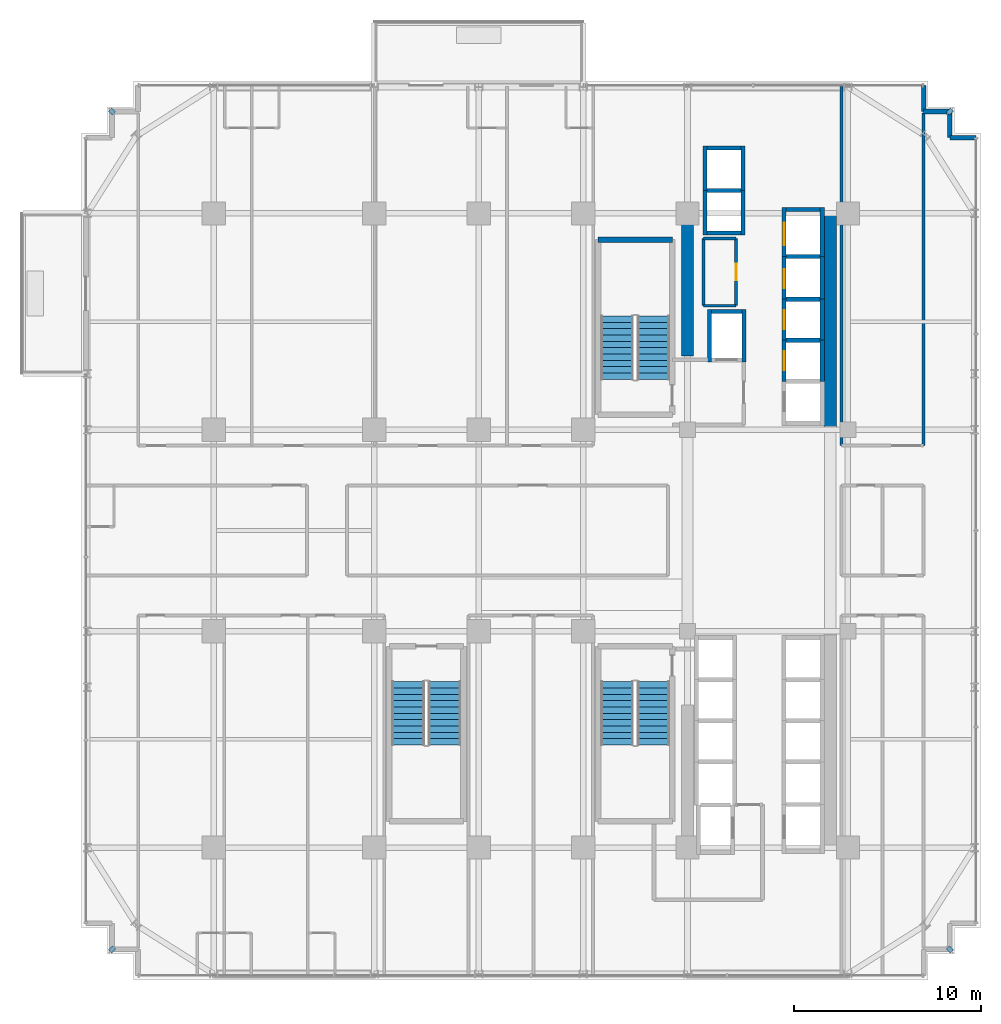
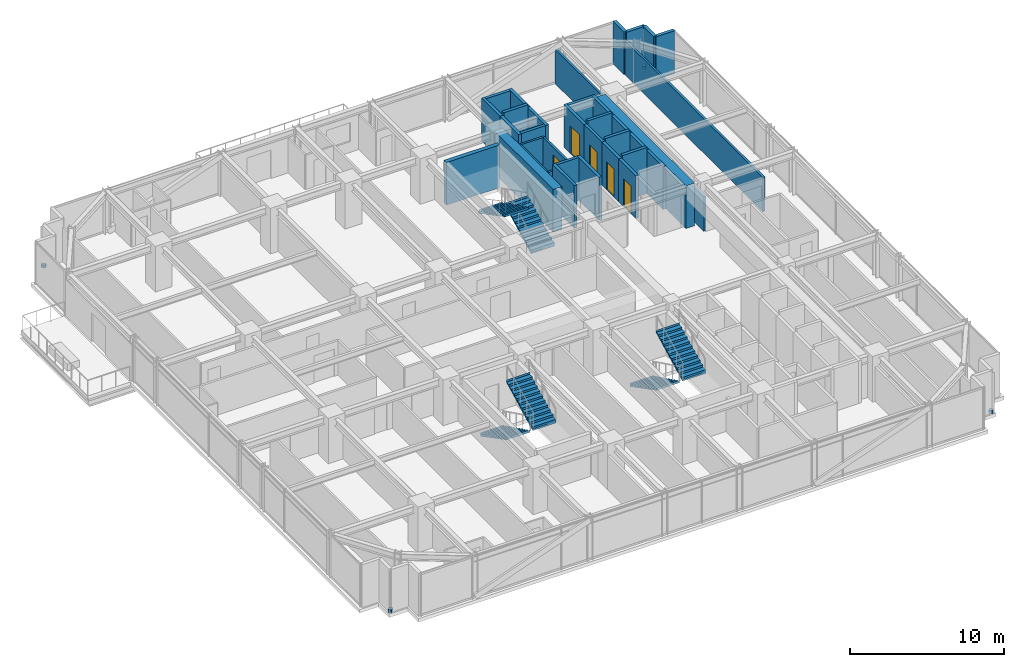
# One storey, part 35 of 39: 35 walls, 6 stair flights, 5 doors, 4 discrete accessories, 5 openings, 3 elements without a shape of their own.
"""IFC4 building model written with IfcOpenShell, lengths in metres."""

from ifc_helpers import new_model, si_unit, direction, frame, frame_2d, origin, origin_2d, place, context, subcontext, project, spatial, polyline, rectangle, outline, extrude, source, transform, mapped, material, layer, layer_set, type_object, element, fill, aggregate, save


model = new_model("IFC4")

# Units and contexts
model_context = context("Model", 3, precision=1e-05, world=origin(), true_north=direction((0.0, 1.0)))
body_context = subcontext(model_context, "Body", "Model", "MODEL_VIEW")
ifc_project = project(units=[si_unit("LENGTHUNIT", "METRE"), si_unit("AREAUNIT", "SQUARE_METRE"), si_unit("VOLUMEUNIT", "CUBIC_METRE"), si_unit("PLANEANGLEUNIT", "RADIAN"), si_unit("MASSUNIT", "GRAM", prefix="KILO")], contexts=[model_context])

# Site, building, storey
site_placement = place(None, origin())
site = spatial("IfcSite", under=ifc_project, at=site_placement, CompositionType="ELEMENT")
building_placement = place(site_placement, origin())
building = spatial("IfcBuilding", under=site, at=building_placement, Name="Nahalor Promenade Grand Hotel", CompositionType="ELEMENT")
storey_placement = place(building_placement, frame((0.0, 0.0, 135.75)))
storey = spatial("IfcBuildingStorey", under=building, at=storey_placement, Name="L34", CompositionType="ELEMENT", Elevation=135.75)

# Walls
ifc_material_1 = material(Name="Concrete B-60 (C50/60)", Category="concrete")
ifc_layer_1 = layer(ifc_material_1, 0.64990234375)
ifc_layer_set_1 = layer_set([ifc_layer_1], Name="Concrete B-60 (C50/60)")
wall_type_1 = type_object("IfcWallType", Name="Wall-CoreShear-650", PredefinedType="SHEAR", material=ifc_layer_set_1)
shared_shape_1 = source(origin(), body_context, "Body", "SweptSolid", [
    extrude(rectangle(XDim=7.64990234375, YDim=0.64990234375, at=frame_2d((3.824951171875, 0.0))), origin(), (0.0, 0.0, 1.0), 3.3798828125),
])
wall_1_placement = place(storey_placement, frame((8.39990234375, 9.35009765625, 0.0), z_axis=(0.0, 0.0, 1.0), x_axis=(0.0, 1.0, 0.0)))
element("IfcWall", 1, at=wall_1_placement, inside=storey, type_object=wall_type_1, Name="CWALL-L34-NW", PredefinedType="SHEAR", context=body_context, shape_type="MappedRepresentation", body=[
    mapped(shared_shape_1, transform((0.0, 0.0, 0.0), scale=1.0)),
])
shared_shape_2 = source(origin(), body_context, "Body", "SweptSolid", [
    extrude(rectangle(XDim=11.60009765625, YDim=0.64990234375, at=frame_2d((5.800048828125, 0.0))), origin(), (0.0, 0.0, 1.0), 3.3798828125),
])
wall_2_placement = place(storey_placement, frame((16.050048828125, 5.39990234375, 0.0), z_axis=(0.0, 0.0, 1.0), x_axis=(0.0, 1.0, 0.0)))
element("IfcWall", 2, at=wall_2_placement, inside=storey, type_object=wall_type_1, Name="CWALL-L34-NE", PredefinedType="SHEAR", context=body_context, shape_type="MappedRepresentation", body=[
    mapped(shared_shape_2, transform((0.0, 0.0, 0.0), scale=1.0)),
])
ifc_material_2 = material(Name="Concrete B-50 (C40/50)", Category="concrete")
ifc_layer_2 = layer(ifc_material_2, 0.300048828125)
ifc_layer_set_2 = layer_set([ifc_layer_2], Name="Concrete B-50 (C40/50)")
wall_type_2 = type_object("IfcWallType", Name="Wall-ShaftShear-300", PredefinedType="SHEAR", material=ifc_layer_set_2)
shared_shape_3 = source(origin(), body_context, "Body", "SweptSolid", [
    extrude(rectangle(XDim=3.97998046875, YDim=0.300048828125, at=frame_2d((1.989990234375, 0.0))), origin(), (0.0, 0.0, 1.0), 3.3798828125),
])
wall_3_placement = place(storey_placement, frame((3.610107421875, 15.590087890625, 0.0), z_axis=(0.0, 0.0, 1.0), x_axis=(1.0, 0.0, 0.0)))
element("IfcWall", 3, at=wall_3_placement, inside=storey, type_object=wall_type_2, Name="L34 Exit Stair ST1 Shaft Wall N", PredefinedType="SHEAR", context=body_context, shape_type="MappedRepresentation", body=[
    mapped(shared_shape_3, transform((0.0, 0.0, 0.0), scale=1.0)),
])
ifc_layer_3 = layer(ifc_material_2, 0.219970703125)
ifc_layer_set_3 = layer_set([ifc_layer_3], Name="Concrete B-50 (C40/50)")
wall_type_3 = type_object("IfcWallType", Name="Wall-LiftShaft-220", PredefinedType="SHEAR", material=ifc_layer_set_3)
shared_shape_4 = source(origin(), body_context, "Body", "SweptSolid", [
    extrude(rectangle(XDim=1.820068359375, YDim=0.219970703125, at=frame_2d((0.91015625, 0.0))), origin(), (0.0, 0.0, 1.0), 3.64990234375),
])
for number, where, z_axis, x_axis, name in (
    (4, (13.68994140625, 10.199951171875, 0.0), (0.0, 0.0, 1.0), (1.0, 0.0, 0.0), "L34 Lift PL2 Hoistway Wall N"),
    (5, (13.68994140625, 12.39990234375, 0.0), (0.0, 0.0, 1.0), (1.0, 0.0, 0.0), "L34 Lift PL3 Hoistway Wall N"),
    (6, (13.68994140625, 14.699951171875, 0.0), (0.0, 0.0, 1.0), (1.0, 0.0, 0.0), "L34 Lift PL4 Hoistway Wall N"),
    (7, (9.43994140625, 18.22509765625, 0.0), (0.0, 0.0, 1.0), (1.0, 0.0, 0.0), "L34 Lift OB1 Hoistway Wall N"),
):
    element("IfcWall", number, at=place(storey_placement, frame(where, z_axis=z_axis, x_axis=x_axis)), inside=storey, type_object=wall_type_3, Name=name, PredefinedType="SHEAR", context=body_context, shape_type="MappedRepresentation", body=[
        mapped(shared_shape_4, transform((0.0, 0.0, 0.0), scale=1.0)),
    ])
shared_shape_5 = source(origin(), body_context, "Body", "SweptSolid", [
    extrude(rectangle(XDim=1.820068359375, YDim=0.219970703125, at=frame_2d((0.91015625, 0.0))), origin(), (0.0, 0.0, 1.0), 3.3798828125),
])
for number, where, z_axis, x_axis, name in (
    (8, (9.43994140625, 15.949951171875, 0.0), (0.0, 0.0, 1.0), (1.0, 0.0, 0.0), "L34 Lift OB1 Hoistway Wall S"),
    (9, (9.43994140625, 20.5, 0.0), (0.0, 0.0, 1.0), (1.0, 0.0, 0.0), "L34 Lift OB2 Hoistway Wall N"),
    (10, (13.68994140625, 17.199951171875, 0.0), (0.0, 0.0, 1.0), (1.0, 0.0, 0.0), "L34 Lift SV1 Hoistway Wall N"),
):
    element("IfcWall", number, at=place(storey_placement, frame(where, z_axis=z_axis, x_axis=x_axis)), inside=storey, type_object=wall_type_3, Name=name, PredefinedType="SHEAR", context=body_context, shape_type="MappedRepresentation", body=[
        mapped(shared_shape_5, transform((0.0, 0.0, 0.0), scale=1.0)),
    ])

# Wall, opening, door
shared_shape_6 = source(origin(), body_context, "Body", "SweptSolid", [
    extrude(rectangle(XDim=2.199951171875, YDim=0.219970703125, at=frame_2d((1.10009765625, 0.0))), origin(), (0.0, 0.0, 1.0), 3.3798828125),
])
wall_4_placement = place(storey_placement, frame((13.580078125, 8.0, 0.0), z_axis=(0.0, 0.0, 1.0), x_axis=(0.0, 1.0, 0.0)))
wall_4 = element("IfcWall", 11, at=wall_4_placement, inside=storey, type_object=wall_type_3, Name="L34 Lift PL2 Hoistway Wall W", PredefinedType="SHEAR", context=body_context, shape_type="MappedRepresentation", body=[
    mapped(shared_shape_6, transform((0.0, 0.0, 0.0), scale=1.0)),
])
opening_1_placement = place(wall_4_placement, frame((0.60009765625, 0.0, 0.0)))
opening_1 = element("IfcOpeningElement", 12, at=opening_1_placement, cuts=wall_4, Name="Opening LD-01", PredefinedType="OPENING", context=body_context, shape_type="SweptSolid", body=[
    extrude(rectangle(XDim=1.0, YDim=2.199951171875, at=frame_2d((0.5, 1.10009765625))), frame((0.0, 0.119873046875, 0.0), z_axis=(0.0, -1.0, 0.0), x_axis=(1.0, 0.0, 0.0)), (0.0, 0.0, 1.0), 0.239990234375),
])
ifc_material_3 = material(Name="Steel S355JR", Category="steel")
door_type_1 = type_object("IfcDoorType", Name="Door-LiftLanding-1000", OperationType="DOUBLE_DOOR_SLIDING", PredefinedType="DOOR", material=ifc_material_3)
shared_shape_7 = source(origin(), body_context, "Body", "SweptSolid", [
    extrude(rectangle(XDim=1.0, YDim=2.199951171875, at=frame_2d((0.5, 1.10009765625))), frame((0.0, 0.02490234375, 0.0), z_axis=(0.0, -1.0, 0.0), x_axis=(1.0, 0.0, 0.0)), (0.0, 0.0, 1.0), 0.050048828125),
])
door_1_placement = place(opening_1_placement, origin())
door_1 = element("IfcDoor", 13, at=door_1_placement, inside=storey, type_object=door_type_1, Name="DR-LIFT-PL2-L34", OperationType="DOUBLE_DOOR_SLIDING", OverallHeight=2.199951171875, OverallWidth=1.0, PredefinedType="DOOR", context=body_context, shape_type="MappedRepresentation", body=[
    mapped(shared_shape_7, transform((0.0, 0.0, 0.0), scale=1.0)),
])
fill(opening_1, door_1)

# Wall
wall_5_placement = place(storey_placement, frame((15.6201171875, 8.0, 0.0), z_axis=(0.0, 0.0, 1.0), x_axis=(0.0, 1.0, 0.0)))
element("IfcWall", 14, at=wall_5_placement, inside=storey, type_object=wall_type_3, Name="L34 Lift PL2 Hoistway Wall E", PredefinedType="SHEAR", context=body_context, shape_type="MappedRepresentation", body=[
    mapped(shared_shape_6, transform((0.0, 0.0, 0.0), scale=1.0)),
])

# Wall, opening, door
wall_6_placement = place(storey_placement, frame((13.580078125, 10.199951171875, 0.0), z_axis=(0.0, 0.0, 1.0), x_axis=(0.0, 1.0, 0.0)))
wall_6 = element("IfcWall", 15, at=wall_6_placement, inside=storey, type_object=wall_type_3, Name="L34 Lift PL3 Hoistway Wall W", PredefinedType="SHEAR", context=body_context, shape_type="MappedRepresentation", body=[
    mapped(shared_shape_6, transform((0.0, 0.0, 0.0), scale=1.0)),
])
opening_2_placement = place(wall_6_placement, frame((0.60009765625, 0.0, 0.0)))
opening_2 = element("IfcOpeningElement", 16, at=opening_2_placement, cuts=wall_6, Name="Opening LD-01", PredefinedType="OPENING", context=body_context, shape_type="SweptSolid", body=[
    extrude(rectangle(XDim=1.0, YDim=2.199951171875, at=frame_2d((0.5, 1.10009765625))), frame((0.0, 0.119873046875, 0.0), z_axis=(0.0, -1.0, 0.0), x_axis=(1.0, 0.0, 0.0)), (0.0, 0.0, 1.0), 0.239990234375),
])
door_2_placement = place(opening_2_placement, origin())
door_2 = element("IfcDoor", 17, at=door_2_placement, inside=storey, type_object=door_type_1, Name="DR-LIFT-PL3-L34", OperationType="DOUBLE_DOOR_SLIDING", OverallHeight=2.199951171875, OverallWidth=1.0, PredefinedType="DOOR", context=body_context, shape_type="MappedRepresentation", body=[
    mapped(shared_shape_7, transform((0.0, 0.0, 0.0), scale=1.0)),
])
fill(opening_2, door_2)

# Wall
wall_7_placement = place(storey_placement, frame((15.6201171875, 10.199951171875, 0.0), z_axis=(0.0, 0.0, 1.0), x_axis=(0.0, 1.0, 0.0)))
element("IfcWall", 18, at=wall_7_placement, inside=storey, type_object=wall_type_3, Name="L34 Lift PL3 Hoistway Wall E", PredefinedType="SHEAR", context=body_context, shape_type="MappedRepresentation", body=[
    mapped(shared_shape_6, transform((0.0, 0.0, 0.0), scale=1.0)),
])

# Wall, opening, door
shared_shape_8 = source(origin(), body_context, "Body", "SweptSolid", [
    extrude(rectangle(XDim=2.300048828125, YDim=0.219970703125, at=frame_2d((1.14990234375, 0.0))), origin(), (0.0, 0.0, 1.0), 3.3798828125),
])
wall_8_placement = place(storey_placement, frame((13.580078125, 12.39990234375, 0.0), z_axis=(0.0, 0.0, 1.0), x_axis=(0.0, 1.0, 0.0)))
wall_8 = element("IfcWall", 19, at=wall_8_placement, inside=storey, type_object=wall_type_3, Name="L34 Lift PL4 Hoistway Wall W", PredefinedType="SHEAR", context=body_context, shape_type="MappedRepresentation", body=[
    mapped(shared_shape_8, transform((0.0, 0.0, 0.0), scale=1.0)),
])
opening_3_placement = place(wall_8_placement, frame((0.60009765625, 0.0, 0.0)))
opening_3 = element("IfcOpeningElement", 20, at=opening_3_placement, cuts=wall_8, Name="Opening LD-01", PredefinedType="OPENING", context=body_context, shape_type="SweptSolid", body=[
    extrude(rectangle(XDim=1.0, YDim=2.199951171875, at=frame_2d((0.5, 1.10009765625))), frame((0.0, 0.119873046875, 0.0), z_axis=(0.0, -1.0, 0.0), x_axis=(1.0, 0.0, 0.0)), (0.0, 0.0, 1.0), 0.239990234375),
])
door_3_placement = place(opening_3_placement, origin())
door_3 = element("IfcDoor", 21, at=door_3_placement, inside=storey, type_object=door_type_1, Name="DR-LIFT-PL4-L34", OperationType="DOUBLE_DOOR_SLIDING", OverallHeight=2.199951171875, OverallWidth=1.0, PredefinedType="DOOR", context=body_context, shape_type="MappedRepresentation", body=[
    mapped(shared_shape_7, transform((0.0, 0.0, 0.0), scale=1.0)),
])
fill(opening_3, door_3)

# Walls
wall_9_placement = place(storey_placement, frame((15.6201171875, 12.39990234375, 0.0), z_axis=(0.0, 0.0, 1.0), x_axis=(0.0, 1.0, 0.0)))
element("IfcWall", 22, at=wall_9_placement, inside=storey, type_object=wall_type_3, Name="L34 Lift PL4 Hoistway Wall E", PredefinedType="SHEAR", context=body_context, shape_type="MappedRepresentation", body=[
    mapped(shared_shape_8, transform((0.0, 0.0, 0.0), scale=1.0)),
])
shared_shape_9 = source(origin(), body_context, "Body", "SweptSolid", [
    extrude(rectangle(XDim=2.385009765625, YDim=0.219970703125, at=frame_2d((1.1923828125, 0.0))), origin(), (0.0, 0.0, 1.0), 3.3798828125),
])
for number, where, z_axis, x_axis, name in (
    (23, (9.330078125, 15.840087890625, 0.0), (0.0, 0.0, 1.0), (0.0, 1.0, 0.0), "L34 Lift OB1 Hoistway Wall W"),
    (24, (11.3701171875, 15.840087890625, 0.0), (0.0, 0.0, 1.0), (0.0, 1.0, 0.0), "L34 Lift OB1 Hoistway Wall E"),
    (25, (9.330078125, 18.22509765625, 0.0), (0.0, 0.0, 1.0), (0.0, 1.0, 0.0), "L34 Lift OB2 Hoistway Wall W"),
    (26, (11.3701171875, 18.22509765625, 0.0), (0.0, 0.0, 1.0), (0.0, 1.0, 0.0), "L34 Lift OB2 Hoistway Wall E"),
):
    element("IfcWall", number, at=place(storey_placement, frame(where, z_axis=z_axis, x_axis=x_axis)), inside=storey, type_object=wall_type_3, Name=name, PredefinedType="SHEAR", context=body_context, shape_type="MappedRepresentation", body=[
        mapped(shared_shape_9, transform((0.0, 0.0, 0.0), scale=1.0)),
    ])
shared_shape_10 = source(origin(), body_context, "Body", "SweptSolid", [
    extrude(rectangle(XDim=2.820068359375, YDim=0.219970703125, at=frame_2d((1.41015625, 0.0))), origin(), (0.0, 0.0, 1.0), 3.3798828125),
])
for number, where, z_axis, x_axis, name in (
    (27, (9.580078125, 9.0400390625, 0.0), (0.0, 0.0, 1.0), (0.0, 1.0, 0.0), "L34 Lift FL1 Hoistway Wall W"),
    (28, (11.419921875, 9.0400390625, 0.0), (0.0, 0.0, 1.0), (0.0, 1.0, 0.0), "L34 Lift FL1 Hoistway Wall E"),
):
    element("IfcWall", number, at=place(storey_placement, frame(where, z_axis=z_axis, x_axis=x_axis)), inside=storey, type_object=wall_type_3, Name=name, PredefinedType="SHEAR", context=body_context, shape_type="MappedRepresentation", body=[
        mapped(shared_shape_10, transform((0.0, 0.0, 0.0), scale=1.0)),
    ])
shared_shape_11 = source(origin(), body_context, "Body", "SweptSolid", [
    extrude(rectangle(XDim=1.6201171875, YDim=0.219970703125, at=frame_2d((0.81005859375, 0.0))), origin(), (0.0, 0.0, 1.0), 3.3798828125),
])
wall_10_placement = place(storey_placement, frame((9.68994140625, 11.75, 0.0), z_axis=(0.0, 0.0, 1.0), x_axis=(1.0, 0.0, 0.0)))
element("IfcWall", 29, at=wall_10_placement, inside=storey, type_object=wall_type_3, Name="L34 Lift FL1 Hoistway Wall N", PredefinedType="SHEAR", context=body_context, shape_type="MappedRepresentation", body=[
    mapped(shared_shape_11, transform((0.0, 0.0, 0.0), scale=1.0)),
])

# Wall, opening, door
shared_shape_12 = source(origin(), body_context, "Body", "SweptSolid", [
    extrude(rectangle(XDim=2.610107421875, YDim=0.219970703125, at=frame_2d((1.30517578125, 0.0))), origin(), (0.0, 0.0, 1.0), 3.3798828125),
])
wall_11_placement = place(storey_placement, frame((13.580078125, 14.699951171875, 0.0), z_axis=(0.0, 0.0, 1.0), x_axis=(0.0, 1.0, 0.0)))
wall_11 = element("IfcWall", 30, at=wall_11_placement, inside=storey, type_object=wall_type_3, Name="L34 Lift SV1 Hoistway Wall W", PredefinedType="SHEAR", context=body_context, shape_type="MappedRepresentation", body=[
    mapped(shared_shape_12, transform((0.0, 0.0, 0.0), scale=1.0)),
])
opening_4_placement = place(wall_11_placement, frame((0.60009765625, 0.0, 0.0)))
opening_4 = element("IfcOpeningElement", 31, at=opening_4_placement, cuts=wall_11, Name="Opening LD-03", PredefinedType="OPENING", context=body_context, shape_type="SweptSolid", body=[
    extrude(rectangle(XDim=1.199951171875, YDim=2.199951171875, at=frame_2d((0.60009765625, 1.10009765625))), frame((0.0, 0.119873046875, 0.0), z_axis=(0.0, -1.0, 0.0), x_axis=(1.0, 0.0, 0.0)), (0.0, 0.0, 1.0), 0.239990234375),
])
door_type_2 = type_object("IfcDoorType", Name="Door-LiftService-1200", OperationType="DOUBLE_DOOR_SLIDING", PredefinedType="DOOR", material=ifc_material_3)
shared_shape_13 = source(origin(), body_context, "Body", "SweptSolid", [
    extrude(rectangle(XDim=1.199951171875, YDim=2.199951171875, at=frame_2d((0.60009765625, 1.10009765625))), frame((0.0, 0.02490234375, 0.0), z_axis=(0.0, -1.0, 0.0), x_axis=(1.0, 0.0, 0.0)), (0.0, 0.0, 1.0), 0.050048828125),
])
door_4_placement = place(opening_4_placement, origin())
door_4 = element("IfcDoor", 32, at=door_4_placement, inside=storey, type_object=door_type_2, Name="DR-LIFT-SV1-L34", OperationType="DOUBLE_DOOR_SLIDING", OverallHeight=2.199951171875, OverallWidth=1.199951171875, PredefinedType="DOOR", context=body_context, shape_type="MappedRepresentation", body=[
    mapped(shared_shape_13, transform((0.0, 0.0, 0.0), scale=1.0)),
])
fill(opening_4, door_4)

# Walls
wall_12_placement = place(storey_placement, frame((15.6201171875, 14.699951171875, 0.0), z_axis=(0.0, 0.0, 1.0), x_axis=(0.0, 1.0, 0.0)))
element("IfcWall", 33, at=wall_12_placement, inside=storey, type_object=wall_type_3, Name="L34 Lift SV1 Hoistway Wall E", PredefinedType="SHEAR", context=body_context, shape_type="MappedRepresentation", body=[
    mapped(shared_shape_12, transform((0.0, 0.0, 0.0), scale=1.0)),
])
ifc_material_4 = material(Name="Concrete B-40 (C32/40)", Category="concrete")
ifc_layer_4 = layer(ifc_material_4, 0.25)
ifc_layer_set_4 = layer_set([ifc_layer_4], Name="Concrete B-40 (C32/40)")
wall_type_4 = type_object("IfcWallType", Name="Wall-BronzePier-250", PredefinedType="STANDARD", material=ifc_layer_set_4)
shared_shape_14 = source(origin(), body_context, "Body", "SweptSolid", [
    extrude(rectangle(XDim=1.400146484375, YDim=0.25, at=frame_2d((0.7001953125, 0.0))), origin(), (0.0, 0.0, 1.0), 3.3798828125),
])
for number, where, z_axis, x_axis, name in (
    (34, (22.4599609375, 21.06005859375, 0.0), (0.0, 0.0, 1.0), (1.0, 0.0, 0.0), "W-L34-SR-05"),
    (35, (21.06005859375, 22.4599609375, 0.0), (0.0, 0.0, 1.0), (0.0, 1.0, 0.0), "W-L34-SR-08"),
):
    element("IfcWall", number, at=place(storey_placement, frame(where, z_axis=z_axis, x_axis=x_axis)), inside=storey, type_object=wall_type_4, Name=name, PredefinedType="STANDARD", context=body_context, shape_type="MappedRepresentation", body=[
        mapped(shared_shape_14, transform((0.0, 0.0, 0.0), scale=1.0)),
    ])
shared_shape_15 = source(origin(), body_context, "Body", "SweptSolid", [
    extrude(rectangle(XDim=1.39990234375, YDim=0.25, at=frame_2d((0.699951171875, 0.0))), origin(), (0.0, 0.0, 1.0), 3.3798828125),
])
for number, where, z_axis, x_axis, name in (
    (36, (22.4599609375, 21.06005859375, 0.0), (0.0, 0.0, 1.0), (0.0, 1.0, 0.0), "W-L34-SR-06"),
    (37, (21.06005859375, 22.4599609375, 0.0), (0.0, 0.0, 1.0), (1.0, 0.0, 0.0), "W-L34-SR-07"),
):
    element("IfcWall", number, at=place(storey_placement, frame(where, z_axis=z_axis, x_axis=x_axis)), inside=storey, type_object=wall_type_4, Name=name, PredefinedType="STANDARD", context=body_context, shape_type="MappedRepresentation", body=[
        mapped(shared_shape_15, transform((0.0, 0.0, 0.0), scale=1.0)),
    ])
ifc_material_5 = material(Name="Acoustic Mineral Gypsum", Category="gypsum")
ifc_layer_5 = layer(ifc_material_5, 0.14990234375)
ifc_layer_set_5 = layer_set([ifc_layer_5], Name="Acoustic Mineral Gypsum")
wall_type_5 = type_object("IfcWallType", Name="Wall-PartService-150", PredefinedType="PARTITIONING", material=ifc_layer_set_5)
shared_shape_16 = source(origin(), body_context, "Body", "SweptSolid", [
    extrude(rectangle(XDim=1.75, YDim=0.14990234375, at=frame_2d((0.875, 0.0))), origin(), (0.0, 0.0, 1.0), 2.719970703125),
])
for number, where, z_axis, x_axis, name in (
    (38, (9.25, 12.050048828125, 0.0), (0.0, 0.0, 1.0), (1.0, 0.0, 0.0), "W-L34-CK1A-S"),
    (39, (9.25, 15.64990234375, 0.0), (0.0, 0.0, 1.0), (1.0, 0.0, 0.0), "W-L34-CK1A-N"),
):
    element("IfcWall", number, at=place(storey_placement, frame(where, z_axis=z_axis, x_axis=x_axis)), inside=storey, type_object=wall_type_5, Name=name, PredefinedType="PARTITIONING", context=body_context, shape_type="MappedRepresentation", body=[
        mapped(shared_shape_16, transform((0.0, 0.0, 0.0), scale=1.0)),
    ])
ifc_layer_6 = layer(ifc_material_5, 0.159912109375)
ifc_layer_set_6 = layer_set([ifc_layer_6], Name="Acoustic Mineral Gypsum")
wall_type_6 = type_object("IfcWallType", Name="Wall-PartCorridor-160", PredefinedType="PARTITIONING", material=ifc_layer_set_6)
shared_shape_17 = source(origin(), body_context, "Body", "SweptSolid", [
    extrude(rectangle(XDim=19.25, YDim=0.159912109375, at=frame_2d((9.625, 0.0))), origin(), (0.0, 0.0, 1.0), 2.719970703125),
])
wall_13_placement = place(storey_placement, frame((16.64990234375, 4.550048828125, 0.0), z_axis=(0.0, 0.0, 1.0), x_axis=(0.0, 1.0, 0.0)))
element("IfcWall", 40, at=wall_13_placement, inside=storey, type_object=wall_type_6, Name="W-L34-ENE-W", PredefinedType="PARTITIONING", context=body_context, shape_type="MappedRepresentation", body=[
    mapped(shared_shape_17, transform((0.0, 0.0, 0.0), scale=1.0)),
])
shared_shape_18 = source(origin(), body_context, "Body", "SweptSolid", [
    extrude(rectangle(XDim=17.829833984375, YDim=0.159912109375, at=frame_2d((8.9150390625, 0.0))), origin(), (0.0, 0.0, 1.0), 2.719970703125),
])
wall_14_placement = place(storey_placement, frame((21.06005859375, 4.550048828125, 0.0), z_axis=(0.0, 0.0, 1.0), x_axis=(0.0, 1.0, 0.0)))
element("IfcWall", 41, at=wall_14_placement, inside=storey, type_object=wall_type_6, Name="W-L34-ENE-E", PredefinedType="PARTITIONING", context=body_context, shape_type="MappedRepresentation", body=[
    mapped(shared_shape_18, transform((0.0, 0.0, 0.0), scale=1.0)),
])
shared_shape_19 = source(origin(), body_context, "Body", "SweptSolid", [
    extrude(rectangle(XDim=3.599853515625, YDim=0.14990234375, at=frame_2d((1.7998046875, 0.0))), origin(), (0.0, 0.0, 1.0), 2.719970703125),
])
wall_15_placement = place(storey_placement, frame((9.25, 12.050048828125, 0.0), z_axis=(0.0, 0.0, 1.0), x_axis=(0.0, 1.0, 0.0)))
element("IfcWall", 42, at=wall_15_placement, inside=storey, type_object=wall_type_5, Name="W-L34-CK1A-W", PredefinedType="PARTITIONING", context=body_context, shape_type="MappedRepresentation", body=[
    mapped(shared_shape_19, transform((0.0, 0.0, 0.0), scale=1.0)),
])

# Wall, opening, door
wall_16_placement = place(storey_placement, frame((11.0, 12.050048828125, 0.0), z_axis=(0.0, 0.0, 1.0), x_axis=(0.0, 1.0, 0.0)))
wall_16 = element("IfcWall", 43, at=wall_16_placement, inside=storey, type_object=wall_type_5, Name="W-L34-CK1A-E", PredefinedType="PARTITIONING", context=body_context, shape_type="MappedRepresentation", body=[
    mapped(shared_shape_19, transform((0.0, 0.0, 0.0), scale=1.0)),
])
opening_5_placement = place(wall_16_placement, frame((1.360107421875, 0.0, 0.0)))
opening_5 = element("IfcOpeningElement", 44, at=opening_5_placement, cuts=wall_16, Name="Opening D-03", PredefinedType="OPENING", context=body_context, shape_type="SweptSolid", body=[
    extrude(rectangle(XDim=0.8798828125, YDim=2.10009765625, at=frame_2d((0.43994140625, 1.050048828125))), frame((0.0, 0.0849609375, 0.0), z_axis=(0.0, -1.0, 0.0), x_axis=(1.0, 0.0, 0.0)), (0.0, 0.0, 1.0), 0.169921875),
])
ifc_material_6 = material(Name="Fire-Rated Timber Composite", Category="wood")
door_type_3 = type_object("IfcDoorType", Name="Door-BathSwing-880", OperationType="NOTDEFINED", PredefinedType="DOOR", material=ifc_material_6)
shared_shape_20 = source(origin(), body_context, "Body", "SweptSolid", [
    extrude(rectangle(XDim=0.8798828125, YDim=2.10009765625, at=frame_2d((0.43994140625, 1.050048828125))), frame((0.0, 0.02490234375, 0.0), z_axis=(0.0, -1.0, 0.0), x_axis=(1.0, 0.0, 0.0)), (0.0, 0.0, 1.0), 0.050048828125),
])
door_5_placement = place(opening_5_placement, origin())
door_5 = element("IfcDoor", 45, at=door_5_placement, inside=storey, type_object=door_type_3, Name="DR-L34-CK1A", OperationType="SINGLE_SWING_RIGHT", OverallHeight=2.10009765625, OverallWidth=0.8798828125, PredefinedType="DOOR", context=body_context, shape_type="MappedRepresentation", body=[
    mapped(shared_shape_20, transform((0.0, 0.0, 0.0), scale=1.0)),
])
fill(opening_5, door_5)

# Stair, stair flights
stair_type_1 = type_object("IfcStairType", Name="Stair-ST1", PredefinedType="HALF_TURN_STAIR", material=ifc_material_2)
stair_1_placement = place(storey_placement, origin())
stair_1 = element("IfcStair", 46, at=stair_1_placement, inside=storey, type_object=stair_type_1, Name="L34 ST1", PredefinedType="HALF_TURN_STAIR")
ifc_layer_7 = layer(ifc_material_2, 0.179931640625)
ifc_layer_set_7 = layer_set([ifc_layer_7], Name="Concrete B-50 (C40/50)")
stair_flight_type_1 = type_object("IfcStairFlightType", Name="Flight-ST1", PredefinedType="STRAIGHT", material=ifc_layer_set_7)
shared_shape_21 = source(origin(), body_context, "Body", "SweptSolid", [
    extrude(outline(polyline([(-0.00390625, -0.1201171875), (-0.00390625, 0.0), (0.0, 0.0), (0.0, 0.166015625), (0.340087890625, 0.166015625), (0.340087890625, 0.331787109375), (0.679931640625, 0.331787109375), (0.679931640625, 0.497802734375), (1.02001953125, 0.497802734375), (1.02001953125, 0.66357421875), (1.360107421875, 0.66357421875), (1.360107421875, 0.82958984375), (1.699951171875, 0.82958984375), (1.699951171875, 0.995361328125), (2.0400390625, 0.995361328125), (2.0400390625, 1.161376953125), (2.3798828125, 1.161376953125), (2.3798828125, 1.327392578125), (2.719970703125, 1.327392578125), (2.719970703125, 1.4931640625), (3.06005859375, 1.4931640625), (3.06005859375, 1.6591796875), (3.39990234375, 1.6591796875), (3.39990234375, 1.824951171875), (3.404052734375, 1.824951171875), (3.404052734375, 1.64501953125), (0.02001953125, -0.1201171875), (-0.00390625, -0.1201171875)])), frame((0.0, 0.875, 0.0), z_axis=(0.0, -1.0, 0.0), x_axis=(1.0, 0.0, 0.0)), (0.0, 0.0, 1.0), 1.75),
])
stair_flight_1_placement = place(storey_placement, frame((6.574951171875, 8.10009765625, 0.0), z_axis=(0.0, 0.0, 1.0), x_axis=(0.0, 1.0, 0.0)))
stair_flight_1 = element("IfcStairFlight", 47, at=stair_flight_1_placement, type_object=stair_flight_type_1, Name="ST1 flight 1", NumberOfRisers=11, NumberOfTreads=10, PredefinedType="STRAIGHT", RiserHeight=0.165909091, TreadLength=0.34, context=body_context, shape_type="MappedRepresentation", body=[
    mapped(shared_shape_21, transform((0.0, 0.0, 0.0), scale=1.0)),
])
stair_flight_2_placement = place(storey_placement, frame((4.625, 11.5, 1.824951171875), z_axis=(0.0, 0.0, 1.0), x_axis=(0.0, -1.0, 0.0)))
stair_flight_2 = element("IfcStairFlight", 48, at=stair_flight_2_placement, type_object=stair_flight_type_1, Name="ST1 flight 2", NumberOfRisers=11, NumberOfTreads=10, PredefinedType="STRAIGHT", RiserHeight=0.165909091, TreadLength=0.34, context=body_context, shape_type="MappedRepresentation", body=[
    mapped(shared_shape_21, transform((0.0, 0.0, 0.0), scale=1.0)),
])
aggregate(stair_1, [stair_flight_1, stair_flight_2])

stair_type_2 = type_object("IfcStairType", Name="Stair-ST2", PredefinedType="HALF_TURN_STAIR", material=ifc_material_2)
stair_2_placement = place(storey_placement, origin())
stair_2 = element("IfcStair", 49, at=stair_2_placement, inside=storey, type_object=stair_type_2, Name="L34 ST2", PredefinedType="HALF_TURN_STAIR")
ifc_layer_8 = layer(ifc_material_2, 0.18994140625)
ifc_layer_set_8 = layer_set([ifc_layer_8], Name="Concrete B-50 (C40/50)")
stair_flight_type_2 = type_object("IfcStairFlightType", Name="Flight-ST2", PredefinedType="STRAIGHT", material=ifc_layer_set_8)
shared_shape_22 = source(origin(), body_context, "Body", "SweptSolid", [
    extrude(outline(polyline([(-0.00390625, -0.1201171875), (-0.00390625, 0.0), (0.0, 0.0), (0.0, 0.166015625), (0.340087890625, 0.166015625), (0.340087890625, 0.331787109375), (0.679931640625, 0.331787109375), (0.679931640625, 0.497802734375), (1.02001953125, 0.497802734375), (1.02001953125, 0.66357421875), (1.360107421875, 0.66357421875), (1.360107421875, 0.82958984375), (1.699951171875, 0.82958984375), (1.699951171875, 0.995361328125), (2.0400390625, 0.995361328125), (2.0400390625, 1.161376953125), (2.3798828125, 1.161376953125), (2.3798828125, 1.327392578125), (2.719970703125, 1.327392578125), (2.719970703125, 1.4931640625), (3.06005859375, 1.4931640625), (3.06005859375, 1.6591796875), (3.39990234375, 1.6591796875), (3.39990234375, 1.824951171875), (3.404052734375, 1.824951171875), (3.404052734375, 1.64501953125), (0.02001953125, -0.1201171875), (-0.00390625, -0.1201171875)])), frame((0.0, 0.875, 0.0), z_axis=(0.0, -1.0, 0.0), x_axis=(1.0, 0.0, 0.0)), (0.0, 0.0, 1.0), 1.75),
])
stair_flight_3_placement = place(storey_placement, frame((4.625, -8.10009765625, 0.0), z_axis=(0.0, 0.0, 1.0), x_axis=(0.0, -1.0, 0.0)))
stair_flight_3 = element("IfcStairFlight", 50, at=stair_flight_3_placement, type_object=stair_flight_type_2, Name="ST2 flight 1", NumberOfRisers=11, NumberOfTreads=10, PredefinedType="STRAIGHT", RiserHeight=0.165909091, TreadLength=0.34, context=body_context, shape_type="MappedRepresentation", body=[
    mapped(shared_shape_22, transform((0.0, 0.0, 0.0), scale=1.0)),
])
stair_flight_4_placement = place(storey_placement, frame((6.574951171875, -11.5, 1.824951171875), z_axis=(0.0, 0.0, 1.0), x_axis=(0.0, 1.0, 0.0)))
stair_flight_4 = element("IfcStairFlight", 51, at=stair_flight_4_placement, type_object=stair_flight_type_2, Name="ST2 flight 2", NumberOfRisers=11, NumberOfTreads=10, PredefinedType="STRAIGHT", RiserHeight=0.165909091, TreadLength=0.34, context=body_context, shape_type="MappedRepresentation", body=[
    mapped(shared_shape_22, transform((0.0, 0.0, 0.0), scale=1.0)),
])
aggregate(stair_2, [stair_flight_3, stair_flight_4])

stair_type_3 = type_object("IfcStairType", Name="Stair-ST3", PredefinedType="HALF_TURN_STAIR", material=ifc_material_2)
stair_3_placement = place(storey_placement, origin())
stair_3 = element("IfcStair", 52, at=stair_3_placement, inside=storey, type_object=stair_type_3, Name="L34 ST3", PredefinedType="HALF_TURN_STAIR")
ifc_layer_9 = layer(ifc_material_2, 0.199951171875)
ifc_layer_set_9 = layer_set([ifc_layer_9], Name="Concrete B-50 (C40/50)")
stair_flight_type_3 = type_object("IfcStairFlightType", Name="Flight-ST3", PredefinedType="STRAIGHT", material=ifc_layer_set_9)
shared_shape_23 = source(origin(), body_context, "Body", "SweptSolid", [
    extrude(outline(polyline([(-0.00390625, -0.1201171875), (-0.00390625, 0.0), (0.0, 0.0), (0.0, 0.166015625), (0.340087890625, 0.166015625), (0.340087890625, 0.331787109375), (0.679931640625, 0.331787109375), (0.679931640625, 0.497802734375), (1.02001953125, 0.497802734375), (1.02001953125, 0.66357421875), (1.360107421875, 0.66357421875), (1.360107421875, 0.82958984375), (1.699951171875, 0.82958984375), (1.699951171875, 0.995361328125), (2.0400390625, 0.995361328125), (2.0400390625, 1.161376953125), (2.3798828125, 1.161376953125), (2.3798828125, 1.327392578125), (2.719970703125, 1.327392578125), (2.719970703125, 1.4931640625), (3.06005859375, 1.4931640625), (3.06005859375, 1.6591796875), (3.39990234375, 1.6591796875), (3.39990234375, 1.824951171875), (3.404052734375, 1.824951171875), (3.404052734375, 1.64501953125), (0.02001953125, -0.1201171875), (-0.00390625, -0.1201171875)])), frame((0.0, 0.875, 0.0), z_axis=(0.0, -1.0, 0.0), x_axis=(1.0, 0.0, 0.0)), (0.0, 0.0, 1.0), 1.75),
])
stair_flight_5_placement = place(storey_placement, frame((-6.574951171875, -8.10009765625, 0.0), z_axis=(0.0, 0.0, 1.0), x_axis=(0.0, -1.0, 0.0)))
stair_flight_5 = element("IfcStairFlight", 53, at=stair_flight_5_placement, type_object=stair_flight_type_3, Name="ST3 flight 1", NumberOfRisers=11, NumberOfTreads=10, PredefinedType="STRAIGHT", RiserHeight=0.165909091, TreadLength=0.34, context=body_context, shape_type="MappedRepresentation", body=[
    mapped(shared_shape_23, transform((0.0, 0.0, 0.0), scale=1.0)),
])
stair_flight_6_placement = place(storey_placement, frame((-4.625, -11.5, 1.824951171875), z_axis=(0.0, 0.0, 1.0), x_axis=(0.0, 1.0, 0.0)))
stair_flight_6 = element("IfcStairFlight", 54, at=stair_flight_6_placement, type_object=stair_flight_type_3, Name="ST3 flight 2", NumberOfRisers=11, NumberOfTreads=10, PredefinedType="STRAIGHT", RiserHeight=0.165909091, TreadLength=0.34, context=body_context, shape_type="MappedRepresentation", body=[
    mapped(shared_shape_23, transform((0.0, 0.0, 0.0), scale=1.0)),
])
aggregate(stair_3, [stair_flight_5, stair_flight_6])

# Discrete accessories
discrete_accessory_type = type_object("IfcDiscreteAccessoryType", Name="Bracket-FacadeCleat-Bronze", PredefinedType="BRACKET", material=ifc_material_3)
shared_shape_24 = source(origin(), body_context, "Body", "SweptSolid", [
    extrude(rectangle(XDim=0.300048828125, YDim=0.239990234375, at=origin_2d()), origin(), (0.0, 0.0, 1.0), 0.219970703125),
])
for number, where, z_axis, x_axis, name in (
    (55, (-22.4599609375, -22.4599609375, 0.0), (0.0, 0.0, 1.0), (0.707106781187, 0.707106781187, 0.0), "BK-L34-SW"),
    (56, (22.4599609375, -22.4599609375, 0.0), (0.0, 0.0, 1.0), (-0.707106781187, 0.707106781187, 0.0), "BK-L34-SE"),
    (57, (22.4599609375, 22.4599609375, 0.0), (0.0, 0.0, 1.0), (0.707106781187, 0.707106781187, 0.0), "BK-L34-NE"),
    (58, (-22.4599609375, 22.4599609375, 0.0), (0.0, 0.0, 1.0), (-0.707106781187, 0.707106781187, 0.0), "BK-L34-NW"),
):
    element("IfcDiscreteAccessory", number, at=place(storey_placement, frame(where, z_axis=z_axis, x_axis=x_axis)), inside=storey, type_object=discrete_accessory_type, Name=name, PredefinedType="BRACKET", context=body_context, shape_type="MappedRepresentation", body=[
        mapped(shared_shape_24, transform((0.0, 0.0, 0.0), scale=1.0)),
    ])

save(model, "model.ifc")
